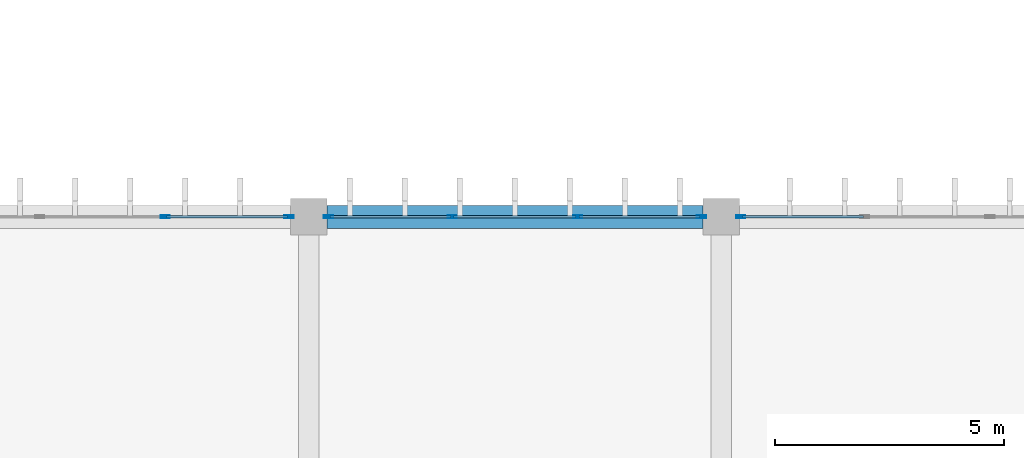
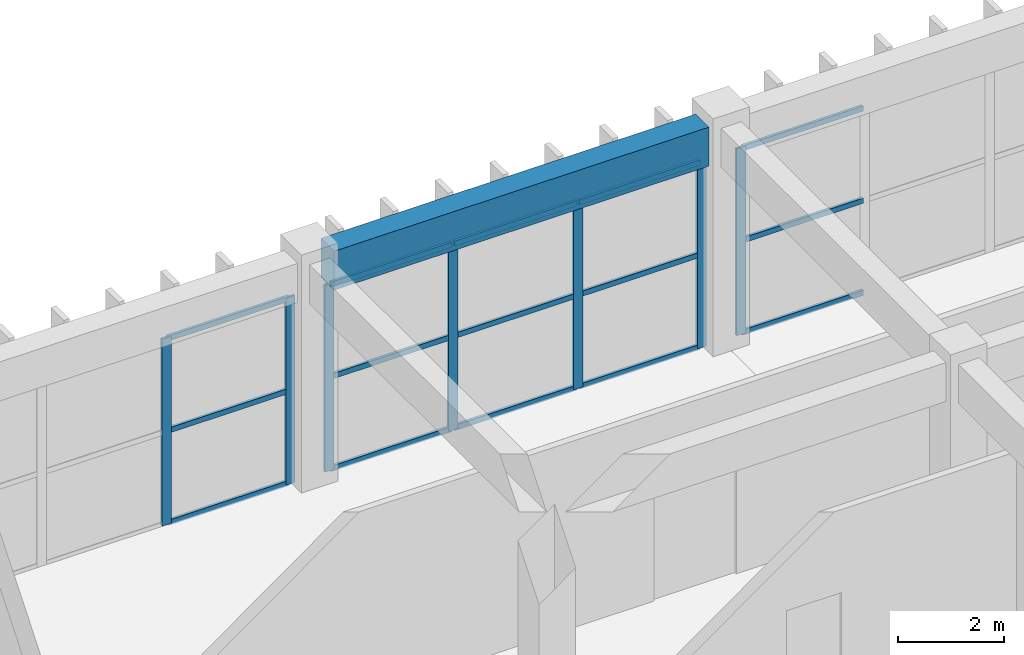
# One storey, part 216 of 437: 22 members, 1 beam, 3 elements without a shape of their own.
"""IFC4 building model written with IfcOpenShell, lengths in metres."""

from ifc_helpers import new_model, si_unit, direction, frame, origin, origin_2d, place, context, subcontext, project, spatial, rectangle, hollow_rectangle, extrude, material, layer, layer_set, material_profile, profile_set, type_object, element, aggregate, save


model = new_model("IFC4")

# Units and contexts
model_context = context("Model", 3, precision=1e-05, world=origin(), true_north=direction((0.0, 1.0)))
body_context = subcontext(model_context, "Body", "Model", "MODEL_VIEW")
ifc_project = project(units=[si_unit("LENGTHUNIT", "METRE"), si_unit("AREAUNIT", "SQUARE_METRE"), si_unit("VOLUMEUNIT", "CUBIC_METRE"), si_unit("PLANEANGLEUNIT", "RADIAN"), si_unit("MASSUNIT", "GRAM", prefix="KILO")], contexts=[model_context])

# Site, building, storey
site_placement = place(None, origin())
site = spatial("IfcSite", under=ifc_project, at=site_placement, CompositionType="ELEMENT")
building_placement = place(site_placement, origin())
building = spatial("IfcBuilding", under=site, at=building_placement, Name="Opaline Strait Convention Centre", CompositionType="ELEMENT")
storey_placement = place(building_placement, frame((0.0, 0.0, 11.5)))
storey = spatial("IfcBuildingStorey", under=building, at=storey_placement, Name="L02", CompositionType="ELEMENT", Elevation=11.5)

# Curtain wall, members
ifc_material_1 = material(Name="Aluminium framed double glazing", Category="aluminium")
ifc_layer = layer(ifc_material_1, 0.199951171875)
ifc_layer_set = layer_set([ifc_layer], Name="Aluminium framed double glazing")
curtain_wall_type = type_object("IfcCurtainWallType", Name="Curtain wall 3000 module unitised", PredefinedType="NOTDEFINED", material=ifc_layer_set)
curtain_wall_1_placement = place(storey_placement, origin())
curtain_wall_1 = element("IfcCurtainWall", 1, at=curtain_wall_1_placement, inside=storey, type_object=curtain_wall_type, Name="Curtain wall N L02 35/W", PredefinedType="NOTDEFINED")
ifc_material_2 = material(Name="Aluminium alloy 6063", Category="aluminium")
ifc_material_profile_1 = material_profile(ifc_material_2, hollow_rectangle(XDim=0.06005859375, YDim=0.199951171875, WallThickness=0.00390625, at=origin_2d()), Name="MULLION 60x200x4")
ifc_profile_set_1 = profile_set([ifc_material_profile_1], Name="Aluminium alloy 6063")
member_type_1 = type_object("IfcMemberType", Name="Curtain wall mullion 60 x 200", PredefinedType="MULLION", material=ifc_profile_set_1)
member_1_placement = place(storey_placement, frame((311.86669921875, 180.0, 0.0), z_axis=(0.0, 0.0, 1.0), x_axis=(0.0, 1.0, 0.0)))
member_1 = element("IfcMember", 2, at=member_1_placement, type_object=member_type_1, Name="MCWR1 mullion 3", PredefinedType="MULLION", context=body_context, shape_type="SweptSolid", body=[
    extrude(hollow_rectangle(XDim=0.06005859375, YDim=0.199951171875, WallThickness=0.00390625, at=origin_2d()), origin(), (0.0, 0.0, 1.0), 4.320068359375),
])
member_2_placement = place(storey_placement, frame((314.570068359375, 180.0, 0.0), z_axis=(0.0, 0.0, 1.0), x_axis=(0.0, 1.0, 0.0)))
member_2 = element("IfcMember", 3, at=member_2_placement, type_object=member_type_1, Name="MCWR1 mullion 4", PredefinedType="MULLION", context=body_context, shape_type="SweptSolid", body=[
    extrude(hollow_rectangle(XDim=0.06005859375, YDim=0.199951171875, WallThickness=0.00390625, at=origin_2d()), origin(), (0.0, 0.0, 1.0), 4.320068359375),
])

curtain_wall_2_placement = place(storey_placement, origin())
curtain_wall_2 = element("IfcCurtainWall", 4, at=curtain_wall_2_placement, inside=storey, type_object=curtain_wall_type, Name="Curtain wall N L02 36/W", PredefinedType="NOTDEFINED")
member_3_placement = place(storey_placement, frame((315.429931640625, 180.0, 0.0), z_axis=(0.0, 0.0, 1.0), x_axis=(0.0, 1.0, 0.0)))
member_3 = element("IfcMember", 5, at=member_3_placement, type_object=member_type_1, Name="MCWR1 mullion 1", PredefinedType="MULLION", context=body_context, shape_type="SweptSolid", body=[
    extrude(hollow_rectangle(XDim=0.06005859375, YDim=0.199951171875, WallThickness=0.00390625, at=origin_2d()), origin(), (0.0, 0.0, 1.0), 4.320068359375),
])
member_4_placement = place(storey_placement, frame((318.13330078125, 180.0, 0.0), z_axis=(0.0, 0.0, 1.0), x_axis=(0.0, 1.0, 0.0)))
member_4 = element("IfcMember", 6, at=member_4_placement, type_object=member_type_1, Name="MCWR1 mullion 2", PredefinedType="MULLION", context=body_context, shape_type="SweptSolid", body=[
    extrude(hollow_rectangle(XDim=0.06005859375, YDim=0.199951171875, WallThickness=0.00390625, at=origin_2d()), origin(), (0.0, 0.0, 1.0), 4.320068359375),
])
member_5_placement = place(storey_placement, frame((320.86669921875, 180.0, 0.0), z_axis=(0.0, 0.0, 1.0), x_axis=(0.0, 1.0, 0.0)))
member_5 = element("IfcMember", 7, at=member_5_placement, type_object=member_type_1, Name="MCWR1 mullion 3", PredefinedType="MULLION", context=body_context, shape_type="SweptSolid", body=[
    extrude(hollow_rectangle(XDim=0.06005859375, YDim=0.199951171875, WallThickness=0.00390625, at=origin_2d()), origin(), (0.0, 0.0, 1.0), 4.320068359375),
])
member_6_placement = place(storey_placement, frame((323.570068359375, 180.0, 0.0), z_axis=(0.0, 0.0, 1.0), x_axis=(0.0, 1.0, 0.0)))
member_6 = element("IfcMember", 8, at=member_6_placement, type_object=member_type_1, Name="MCWR1 mullion 4", PredefinedType="MULLION", context=body_context, shape_type="SweptSolid", body=[
    extrude(hollow_rectangle(XDim=0.06005859375, YDim=0.199951171875, WallThickness=0.00390625, at=origin_2d()), origin(), (0.0, 0.0, 1.0), 4.320068359375),
])

# Curtain wall, member
curtain_wall_3_placement = place(storey_placement, origin())
curtain_wall_3 = element("IfcCurtainWall", 9, at=curtain_wall_3_placement, inside=storey, type_object=curtain_wall_type, Name="Curtain wall N L02 37/W", PredefinedType="NOTDEFINED")
member_7_placement = place(storey_placement, frame((324.429931640625, 180.0, 0.0), z_axis=(0.0, 0.0, 1.0), x_axis=(0.0, 1.0, 0.0)))
member_7 = element("IfcMember", 10, at=member_7_placement, type_object=member_type_1, Name="MCWR1 mullion 1", PredefinedType="MULLION", context=body_context, shape_type="SweptSolid", body=[
    extrude(hollow_rectangle(XDim=0.06005859375, YDim=0.199951171875, WallThickness=0.00390625, at=origin_2d()), origin(), (0.0, 0.0, 1.0), 4.320068359375),
])

# Member
ifc_material_profile_2 = material_profile(ifc_material_2, hollow_rectangle(XDim=0.06005859375, YDim=0.1201171875, WallThickness=0.0029296875, at=origin_2d()), Name="TRANSOM 60x120x3")
ifc_profile_set_2 = profile_set([ifc_material_profile_2], Name="Aluminium alloy 6063")
member_type_2 = type_object("IfcMemberType", Name="Curtain wall transom 60 x 120", PredefinedType="USERDEFINED", material=ifc_profile_set_2)
member_8_placement = place(storey_placement, frame((311.896728515625, 180.0, 0.030029296875), z_axis=(1.0, 0.0, 0.0), x_axis=(0.0, 1.0, 0.0)))
member_8 = element("IfcMember", 11, at=member_8_placement, type_object=member_type_2, Name="MCWR1 transom 3.1", ObjectType="TRANSOM", PredefinedType="USERDEFINED", context=body_context, shape_type="SweptSolid", body=[
    extrude(hollow_rectangle(XDim=0.06005859375, YDim=0.1201171875, WallThickness=0.0029296875, at=origin_2d()), origin(), (0.0, 0.0, 1.0), 2.643310546875),
])

member_9_placement = place(storey_placement, frame((311.896728515625, 180.0, 2.159912109375), z_axis=(1.0, 0.0, 0.0), x_axis=(0.0, 1.0, 0.0)))
member_9 = element("IfcMember", 12, at=member_9_placement, type_object=member_type_2, Name="MCWR1 transom 3.2", ObjectType="TRANSOM", PredefinedType="USERDEFINED", context=body_context, shape_type="SweptSolid", body=[
    extrude(hollow_rectangle(XDim=0.06005859375, YDim=0.1201171875, WallThickness=0.0029296875, at=origin_2d()), origin(), (0.0, 0.0, 1.0), 2.643310546875),
])

member_10_placement = place(storey_placement, frame((311.896728515625, 180.0, 4.2900390625), z_axis=(1.0, 0.0, 0.0), x_axis=(0.0, 1.0, 0.0)))
member_10 = element("IfcMember", 13, at=member_10_placement, type_object=member_type_2, Name="MCWR1 transom 3.3", ObjectType="TRANSOM", PredefinedType="USERDEFINED", context=body_context, shape_type="SweptSolid", body=[
    extrude(hollow_rectangle(XDim=0.06005859375, YDim=0.1201171875, WallThickness=0.0029296875, at=origin_2d()), origin(), (0.0, 0.0, 1.0), 2.643310546875),
])

aggregate(curtain_wall_1, [member_1, member_2, member_8, member_9, member_10])

member_11_placement = place(storey_placement, frame((315.4599609375, 180.0, 0.030029296875), z_axis=(1.0, 0.0, 0.0), x_axis=(0.0, 1.0, 0.0)))
member_11 = element("IfcMember", 14, at=member_11_placement, type_object=member_type_2, Name="MCWR1 transom 1.1", ObjectType="TRANSOM", PredefinedType="USERDEFINED", context=body_context, shape_type="SweptSolid", body=[
    extrude(hollow_rectangle(XDim=0.06005859375, YDim=0.1201171875, WallThickness=0.0029296875, at=origin_2d()), origin(), (0.0, 0.0, 1.0), 2.643310546875),
])

member_12_placement = place(storey_placement, frame((315.4599609375, 180.0, 2.159912109375), z_axis=(1.0, 0.0, 0.0), x_axis=(0.0, 1.0, 0.0)))
member_12 = element("IfcMember", 15, at=member_12_placement, type_object=member_type_2, Name="MCWR1 transom 1.2", ObjectType="TRANSOM", PredefinedType="USERDEFINED", context=body_context, shape_type="SweptSolid", body=[
    extrude(hollow_rectangle(XDim=0.06005859375, YDim=0.1201171875, WallThickness=0.0029296875, at=origin_2d()), origin(), (0.0, 0.0, 1.0), 2.643310546875),
])

member_13_placement = place(storey_placement, frame((315.4599609375, 180.0, 4.2900390625), z_axis=(1.0, 0.0, 0.0), x_axis=(0.0, 1.0, 0.0)))
member_13 = element("IfcMember", 16, at=member_13_placement, type_object=member_type_2, Name="MCWR1 transom 1.3", ObjectType="TRANSOM", PredefinedType="USERDEFINED", context=body_context, shape_type="SweptSolid", body=[
    extrude(hollow_rectangle(XDim=0.06005859375, YDim=0.1201171875, WallThickness=0.0029296875, at=origin_2d()), origin(), (0.0, 0.0, 1.0), 2.643310546875),
])

member_14_placement = place(storey_placement, frame((318.163330078125, 180.0, 0.030029296875), z_axis=(1.0, 0.0, 0.0), x_axis=(0.0, 1.0, 0.0)))
member_14 = element("IfcMember", 17, at=member_14_placement, type_object=member_type_2, Name="MCWR1 transom 2.1", ObjectType="TRANSOM", PredefinedType="USERDEFINED", context=body_context, shape_type="SweptSolid", body=[
    extrude(hollow_rectangle(XDim=0.06005859375, YDim=0.1201171875, WallThickness=0.0029296875, at=origin_2d()), origin(), (0.0, 0.0, 1.0), 2.67333984375),
])

member_15_placement = place(storey_placement, frame((318.163330078125, 180.0, 2.159912109375), z_axis=(1.0, 0.0, 0.0), x_axis=(0.0, 1.0, 0.0)))
member_15 = element("IfcMember", 18, at=member_15_placement, type_object=member_type_2, Name="MCWR1 transom 2.2", ObjectType="TRANSOM", PredefinedType="USERDEFINED", context=body_context, shape_type="SweptSolid", body=[
    extrude(hollow_rectangle(XDim=0.06005859375, YDim=0.1201171875, WallThickness=0.0029296875, at=origin_2d()), origin(), (0.0, 0.0, 1.0), 2.67333984375),
])

member_16_placement = place(storey_placement, frame((318.163330078125, 180.0, 4.2900390625), z_axis=(1.0, 0.0, 0.0), x_axis=(0.0, 1.0, 0.0)))
member_16 = element("IfcMember", 19, at=member_16_placement, type_object=member_type_2, Name="MCWR1 transom 2.3", ObjectType="TRANSOM", PredefinedType="USERDEFINED", context=body_context, shape_type="SweptSolid", body=[
    extrude(hollow_rectangle(XDim=0.06005859375, YDim=0.1201171875, WallThickness=0.0029296875, at=origin_2d()), origin(), (0.0, 0.0, 1.0), 2.67333984375),
])

member_17_placement = place(storey_placement, frame((320.896728515625, 180.0, 0.030029296875), z_axis=(1.0, 0.0, 0.0), x_axis=(0.0, 1.0, 0.0)))
member_17 = element("IfcMember", 20, at=member_17_placement, type_object=member_type_2, Name="MCWR1 transom 3.1", ObjectType="TRANSOM", PredefinedType="USERDEFINED", context=body_context, shape_type="SweptSolid", body=[
    extrude(hollow_rectangle(XDim=0.06005859375, YDim=0.1201171875, WallThickness=0.0029296875, at=origin_2d()), origin(), (0.0, 0.0, 1.0), 2.643310546875),
])

member_18_placement = place(storey_placement, frame((320.896728515625, 180.0, 2.159912109375), z_axis=(1.0, 0.0, 0.0), x_axis=(0.0, 1.0, 0.0)))
member_18 = element("IfcMember", 21, at=member_18_placement, type_object=member_type_2, Name="MCWR1 transom 3.2", ObjectType="TRANSOM", PredefinedType="USERDEFINED", context=body_context, shape_type="SweptSolid", body=[
    extrude(hollow_rectangle(XDim=0.06005859375, YDim=0.1201171875, WallThickness=0.0029296875, at=origin_2d()), origin(), (0.0, 0.0, 1.0), 2.643310546875),
])

member_19_placement = place(storey_placement, frame((320.896728515625, 180.0, 4.2900390625), z_axis=(1.0, 0.0, 0.0), x_axis=(0.0, 1.0, 0.0)))
member_19 = element("IfcMember", 22, at=member_19_placement, type_object=member_type_2, Name="MCWR1 transom 3.3", ObjectType="TRANSOM", PredefinedType="USERDEFINED", context=body_context, shape_type="SweptSolid", body=[
    extrude(hollow_rectangle(XDim=0.06005859375, YDim=0.1201171875, WallThickness=0.0029296875, at=origin_2d()), origin(), (0.0, 0.0, 1.0), 2.643310546875),
])

aggregate(curtain_wall_2, [member_3, member_4, member_5, member_6, member_11, member_12, member_13, member_14, member_15, member_16, member_17, member_18, member_19])

member_20_placement = place(storey_placement, frame((324.4599609375, 180.0, 0.030029296875), z_axis=(1.0, 0.0, 0.0), x_axis=(0.0, 1.0, 0.0)))
member_20 = element("IfcMember", 23, at=member_20_placement, type_object=member_type_2, Name="MCWR1 transom 1.1", ObjectType="TRANSOM", PredefinedType="USERDEFINED", context=body_context, shape_type="SweptSolid", body=[
    extrude(hollow_rectangle(XDim=0.06005859375, YDim=0.1201171875, WallThickness=0.0029296875, at=origin_2d()), origin(), (0.0, 0.0, 1.0), 2.643310546875),
])

member_21_placement = place(storey_placement, frame((324.4599609375, 180.0, 2.159912109375), z_axis=(1.0, 0.0, 0.0), x_axis=(0.0, 1.0, 0.0)))
member_21 = element("IfcMember", 24, at=member_21_placement, type_object=member_type_2, Name="MCWR1 transom 1.2", ObjectType="TRANSOM", PredefinedType="USERDEFINED", context=body_context, shape_type="SweptSolid", body=[
    extrude(hollow_rectangle(XDim=0.06005859375, YDim=0.1201171875, WallThickness=0.0029296875, at=origin_2d()), origin(), (0.0, 0.0, 1.0), 2.643310546875),
])

member_22_placement = place(storey_placement, frame((324.4599609375, 180.0, 4.2900390625), z_axis=(1.0, 0.0, 0.0), x_axis=(0.0, 1.0, 0.0)))
member_22 = element("IfcMember", 25, at=member_22_placement, type_object=member_type_2, Name="MCWR1 transom 1.3", ObjectType="TRANSOM", PredefinedType="USERDEFINED", context=body_context, shape_type="SweptSolid", body=[
    extrude(hollow_rectangle(XDim=0.06005859375, YDim=0.1201171875, WallThickness=0.0029296875, at=origin_2d()), origin(), (0.0, 0.0, 1.0), 2.643310546875),
])

aggregate(curtain_wall_3, [member_7, member_20, member_21, member_22])

# Beam
ifc_material_3 = material(Name="Concrete C35", Category="concrete")
ifc_material_profile_3 = material_profile(ifc_material_3, rectangle(XDim=0.5, YDim=0.89990234375, at=origin_2d()), Name="RC 500x900")
ifc_profile_set_3 = profile_set([ifc_material_profile_3], Name="Concrete C35")
beam_type = type_object("IfcBeamType", Name="RC edge beam 500x900 C35", PredefinedType="BEAM", material=ifc_profile_set_3)
beam_placement = place(storey_placement, frame((315.39990234375, 180.0, 4.77001953125), z_axis=(1.0, 0.0, 0.0), x_axis=(0.0, 1.0, 0.0)))
element("IfcBeam", 26, at=beam_placement, inside=storey, type_object=beam_type, Name="MRB2 L02 36/W-37/W", PredefinedType="BEAM", context=body_context, shape_type="SweptSolid", body=[
    extrude(rectangle(XDim=0.5, YDim=0.89990234375, at=origin_2d()), origin(), (0.0, 0.0, 1.0), 8.2001953125),
])

save(model, "model.ifc")
